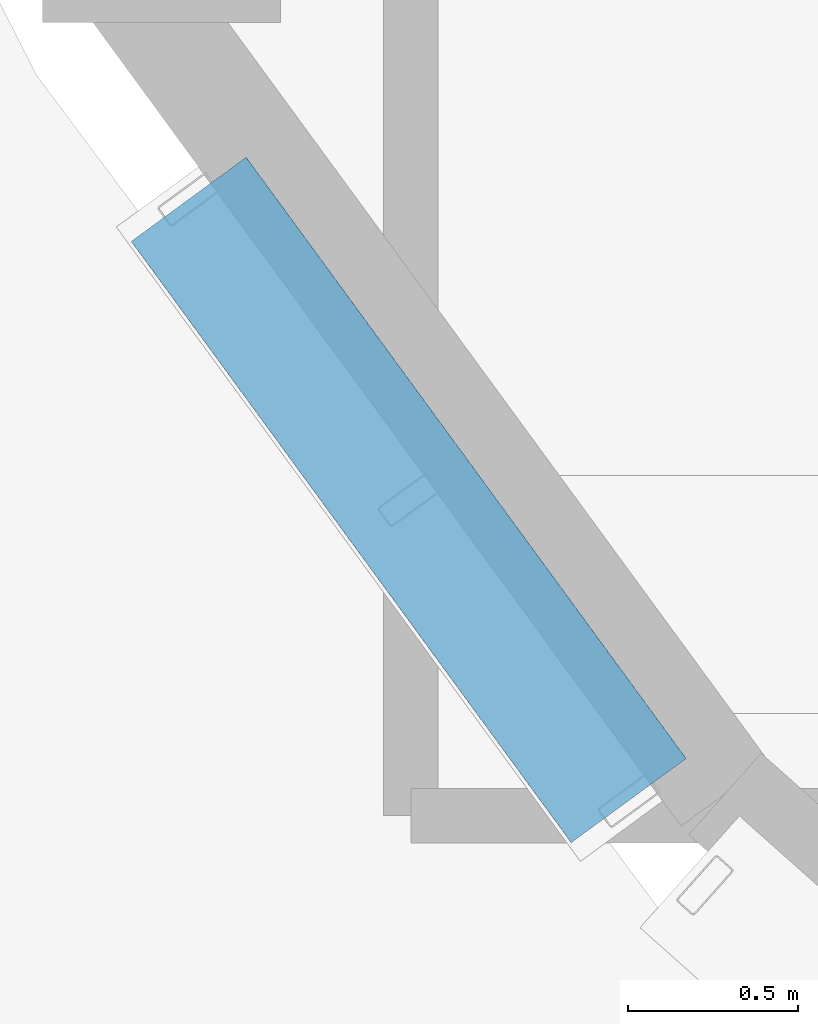
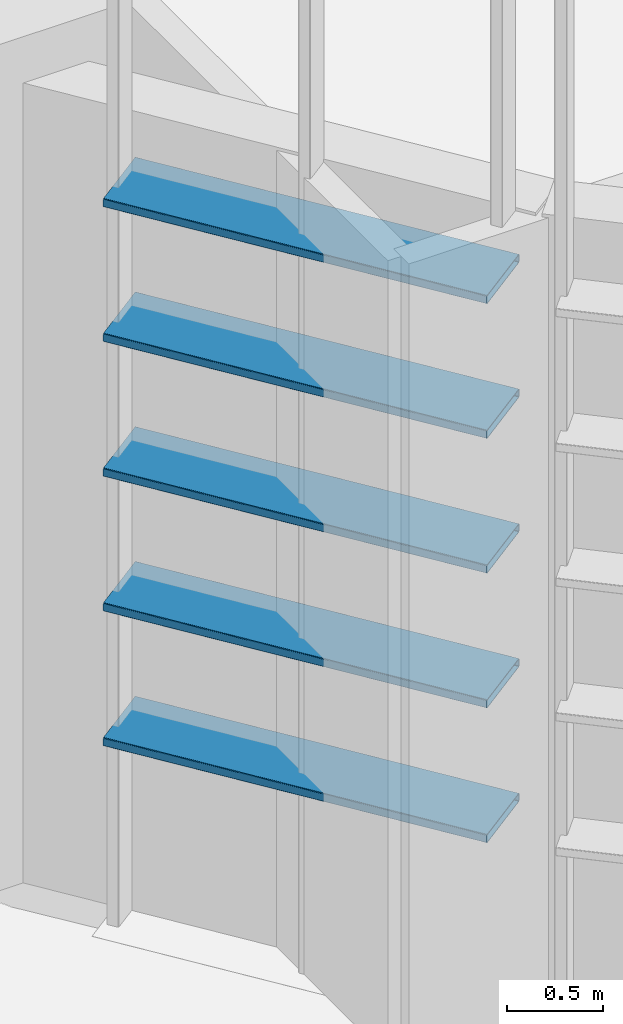
# One storey, part 157 of 372: 5 members.
"""IFC4 building model written with IfcOpenShell, lengths in metres."""

from ifc_helpers import new_model, si_unit, direction, frame, origin, origin_2d, place, context, subcontext, project, spatial, hollow_rectangle, extrude, material, material_profile, profile_set, type_object, element, save


model = new_model("IFC4")

# Units and contexts
model_context = context("Model", 3, precision=1e-05, world=origin(), true_north=direction((0.0, 1.0)))
body_context = subcontext(model_context, "Body", "Model", "MODEL_VIEW")
ifc_project = project(units=[si_unit("LENGTHUNIT", "METRE"), si_unit("AREAUNIT", "SQUARE_METRE"), si_unit("VOLUMEUNIT", "CUBIC_METRE"), si_unit("PLANEANGLEUNIT", "RADIAN"), si_unit("MASSUNIT", "GRAM", prefix="KILO")], contexts=[model_context])

# Site, building, storey
site_placement = place(None, origin())
site = spatial("IfcSite", under=ifc_project, at=site_placement, CompositionType="ELEMENT")
building_placement = place(site_placement, origin())
building = spatial("IfcBuilding", under=site, at=building_placement, Name="Kaelora Sail Theatre", CompositionType="ELEMENT")
storey_placement = place(building_placement, origin())
storey = spatial("IfcBuildingStorey", under=building, at=storey_placement, Name="L00", CompositionType="ELEMENT", Elevation=0.0)

# Members
ifc_material = material(Name="Anodised aluminium 6063-T6", Category="aluminium")
ifc_material_profile = material_profile(ifc_material, hollow_rectangle(XDim=0.419921875, YDim=0.054931640625, WallThickness=0.00390625, InnerFilletRadius=0.00390625, OuterFilletRadius=0.008056640625, at=origin_2d()), Name="LOUVRE 420x55x4")
ifc_profile_set = profile_set([ifc_material_profile], Name="Anodised aluminium 6063-T6")
member_type = type_object("IfcMemberType", Name="ARC-MEM-LVR-420", PredefinedType="USERDEFINED", material=ifc_profile_set)
for number, where, z_axis, x_axis, name in (
    (1, (128.44091796875, 27.0439453125, 1.25), (-0.590513532852, 0.807027736524, 0.0), (-0.807027736524, -0.590513532852, 0.0), "Black-Box and Experimental Sail Wing horizontal solar louvre C14-01"),
    (2, (128.44091796875, 27.0439453125, 2.110107421875), (-0.590513532852, 0.807027736524, 0.0), (-0.807027736524, -0.590513532852, 0.0), "Black-Box and Experimental Sail Wing horizontal solar louvre C14-02"),
    (3, (128.44091796875, 27.0439453125, 2.969970703125), (-0.590513532852, 0.807027736524, 0.0), (-0.807027736524, -0.590513532852, 0.0), "Black-Box and Experimental Sail Wing horizontal solar louvre C14-03"),
    (4, (128.44091796875, 27.0439453125, 3.830078125), (-0.590513532852, 0.807027736524, 0.0), (-0.807027736524, -0.590513532852, 0.0), "Black-Box and Experimental Sail Wing horizontal solar louvre C14-04"),
    (5, (128.44091796875, 27.0439453125, 4.68994140625), (-0.590513532852, 0.807027736524, 0.0), (-0.807027736524, -0.590513532852, 0.0), "Black-Box and Experimental Sail Wing horizontal solar louvre C14-05"),
):
    element("IfcMember", number, at=place(storey_placement, frame(where, z_axis=z_axis, x_axis=x_axis)), inside=storey, type_object=member_type, Name=name, ObjectType="LOUVRE", PredefinedType="USERDEFINED", context=body_context, shape_type="SweptSolid", body=[
        extrude(hollow_rectangle(XDim=0.419921875, YDim=0.054931640625, WallThickness=0.00390625, InnerFilletRadius=0.00390625, OuterFilletRadius=0.008056640625, at=origin_2d()), origin(), (0.0, 0.0, 1.0), 2.192138671875),
    ])

save(model, "model.ifc")
